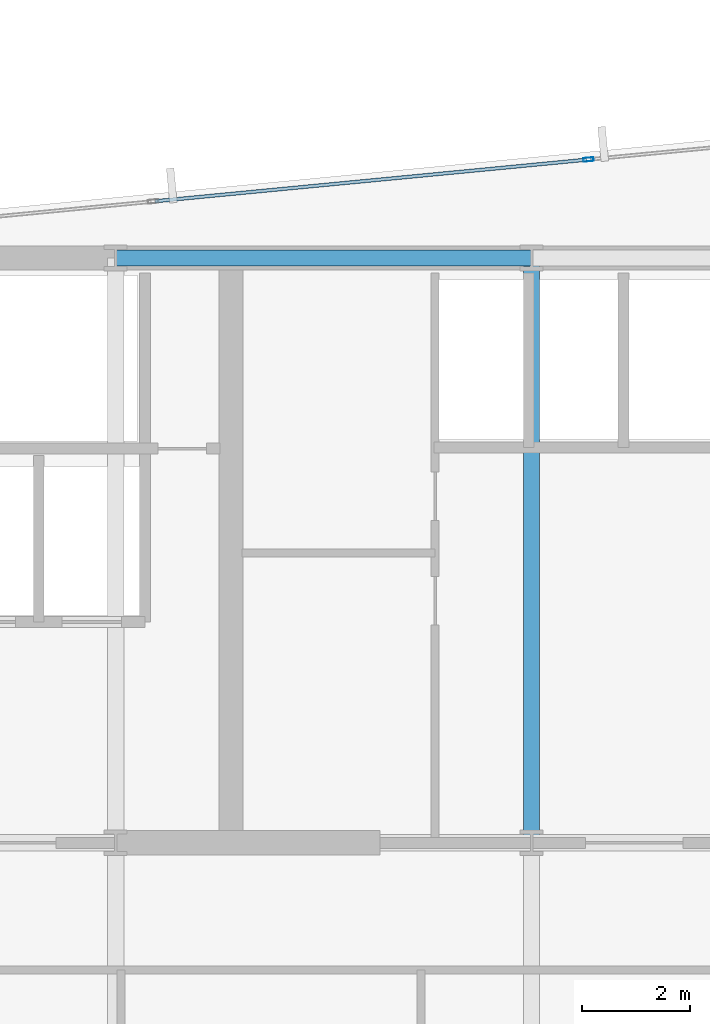
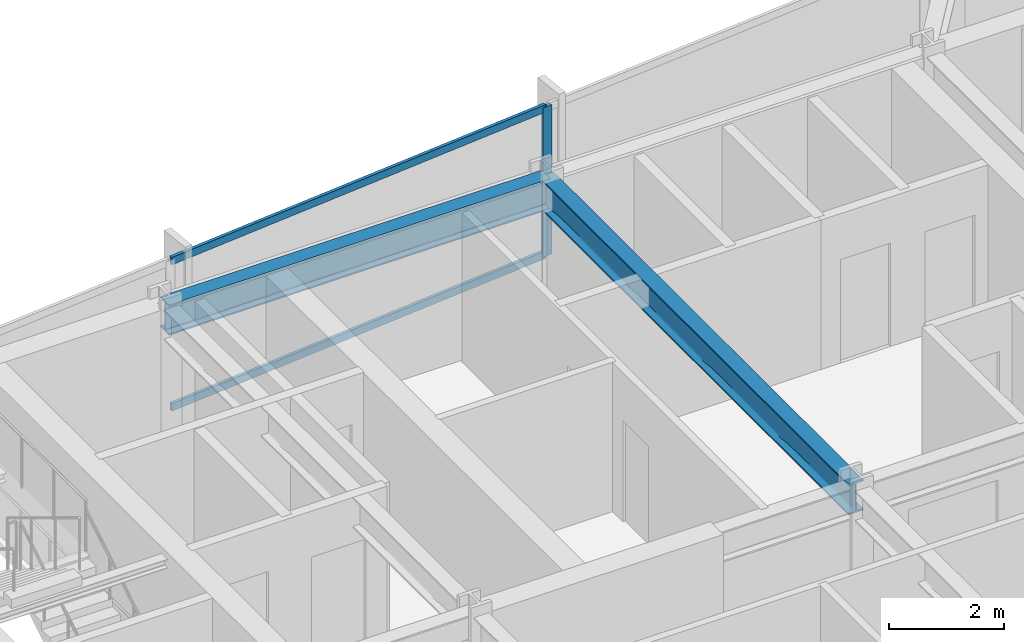
# One storey, part 19 of 33: 3 members, 2 beams, 1 element without a shape of its own.
"""IFC4 building model written with IfcOpenShell, lengths in metres."""

from ifc_helpers import new_model, si_unit, direction, frame, origin, origin_2d, place, context, subcontext, project, spatial, hollow_rectangle, i_section, extrude, material, material_profile, profile_set, type_object, element, aggregate, save


model = new_model("IFC4")

# Units and contexts
model_context = context("Model", 3, precision=1e-05, world=origin(), true_north=direction((0.0, 1.0)))
body_context = subcontext(model_context, "Body", "Model", "MODEL_VIEW")
ifc_project = project(units=[si_unit("LENGTHUNIT", "METRE"), si_unit("AREAUNIT", "SQUARE_METRE"), si_unit("VOLUMEUNIT", "CUBIC_METRE"), si_unit("PLANEANGLEUNIT", "RADIAN"), si_unit("MASSUNIT", "GRAM", prefix="KILO")], contexts=[model_context])

# Site, building, storey
site_placement = place(None, origin())
site = spatial("IfcSite", under=ifc_project, at=site_placement, CompositionType="ELEMENT")
building_placement = place(site_placement, origin())
building = spatial("IfcBuilding", under=site, at=building_placement, Name="Yelkora Congress Tower", CompositionType="ELEMENT")
storey_placement = place(building_placement, frame((0.0, 0.0, 127.10009765625)))
storey = spatial("IfcBuildingStorey", under=building, at=storey_placement, Name="L34", CompositionType="ELEMENT", Elevation=127.10009765625)

# Beams
ifc_material_1 = material(Name="Steel S355J2", Category="steel")
ifc_material_profile_1 = material_profile(ifc_material_1, i_section(OverallWidth=0.300048828125, OverallDepth=0.64990234375, WebThickness=0.01611328125, FlangeThickness=0.031005859375, FilletRadius=0.027099609375, at=origin_2d()), Name="HEB 650")
ifc_profile_set_1 = profile_set([ifc_material_profile_1], Name="Steel S355J2")
beam_type = type_object("IfcBeamType", Name="BM-GIRD-HEB650", PredefinedType="BEAM", material=ifc_profile_set_1)
beam_1_placement = place(storey_placement, frame((30.719970703125, 46.199951171875, 2.85498046875), z_axis=(1.0, 0.0, 0.0), x_axis=(0.0, 1.0, 0.0)))
element("IfcBeam", 1, at=beam_1_placement, inside=storey, type_object=beam_type, Name="L34 Core North Girder 3", PredefinedType="BEAM", context=body_context, shape_type="SweptSolid", body=[
    extrude(i_section(OverallWidth=0.300048828125, OverallDepth=0.64990234375, WebThickness=0.01611328125, FlangeThickness=0.031005859375, FilletRadius=0.027099609375, at=origin_2d()), origin(), (0.0, 0.0, 1.0), 7.679931640625),
])
beam_2_placement = place(storey_placement, frame((38.39990234375, 35.39990234375, 2.85498046875), z_axis=(0.0, 1.0, 0.0), x_axis=(-1.0, 0.0, 0.0)))
element("IfcBeam", 2, at=beam_2_placement, inside=storey, type_object=beam_type, Name="L34 Core Tie Girder MC-S3", PredefinedType="BEAM", context=body_context, shape_type="SweptSolid", body=[
    extrude(i_section(OverallWidth=0.300048828125, OverallDepth=0.64990234375, WebThickness=0.01611328125, FlangeThickness=0.031005859375, FilletRadius=0.027099609375, at=origin_2d()), origin(), (0.0, 0.0, 1.0), 10.800048828125),
])

# Curtain wall, members
ifc_material_2 = material(Name="Anodised aluminium and insulated glass", Category="aluminium")
curtain_wall_type = type_object("IfcCurtainWallType", Name="CW-SYS-B2", PredefinedType="NOTDEFINED", material=ifc_material_2)
curtain_wall_placement = place(storey_placement, origin())
curtain_wall = element("IfcCurtainWall", 3, at=curtain_wall_placement, inside=storey, type_object=curtain_wall_type, Name="L34 Unitised Curtain Wall 10 (3)", PredefinedType="NOTDEFINED")
ifc_material_3 = material(Name="Anodised aluminium 6063-T6", Category="aluminium")
ifc_material_profile_2 = material_profile(ifc_material_3, hollow_rectangle(XDim=0.070068359375, YDim=0.18994140625, WallThickness=0.00390625, at=origin_2d()), Name="ALU 70x190x4")
ifc_profile_set_2 = profile_set([ifc_material_profile_2], Name="Anodised aluminium 6063-T6")
member_type_1 = type_object("IfcMemberType", Name="MEM-ML-B2", PredefinedType="MULLION", material=ifc_profile_set_2)
member_1_placement = place(storey_placement, frame((39.451904296875, 48.018310546875, 0.0), z_axis=(0.0, 0.0, 1.0), x_axis=(-0.095844238468, 0.995396344153, 0.0)))
member_1 = element("IfcMember", 4, at=member_1_placement, type_object=member_type_1, Name="CW-B2 mullion 3", PredefinedType="MULLION", context=body_context, shape_type="SweptSolid", body=[
    extrude(hollow_rectangle(XDim=0.070068359375, YDim=0.18994140625, WallThickness=0.00390625, at=origin_2d()), origin(), (0.0, 0.0, 1.0), 3.179931640625),
])
ifc_material_profile_3 = material_profile(ifc_material_3, hollow_rectangle(XDim=0.06494140625, YDim=0.159912109375, WallThickness=0.00390625, at=origin_2d()), Name="ALU 65x160x4")
ifc_profile_set_3 = profile_set([ifc_material_profile_3], Name="Anodised aluminium 6063-T6")
member_type_2 = type_object("IfcMemberType", Name="MEM-TR-B2", PredefinedType="USERDEFINED", material=ifc_profile_set_3)
member_2_placement = place(storey_placement, frame((31.44677734375, 47.24755859375, 0.032470703125), z_axis=(0.995397793901, 0.09582918082, 0.0), x_axis=(-0.09582918082, 0.995397793901, 0.0)))
member_2 = element("IfcMember", 5, at=member_2_placement, type_object=member_type_2, Name="CW-B2 transom 2.1", ObjectType="TRANSOM", PredefinedType="USERDEFINED", context=body_context, shape_type="SweptSolid", body=[
    extrude(hollow_rectangle(XDim=0.06494140625, YDim=0.159912109375, WallThickness=0.00390625, at=origin_2d()), origin(), (0.0, 0.0, 1.0), 8.00732421875),
])
member_3_placement = place(storey_placement, frame((31.44677734375, 47.24755859375, 3.1474609375), z_axis=(0.995397793901, 0.09582918082, 0.0), x_axis=(-0.09582918082, 0.995397793901, 0.0)))
member_3 = element("IfcMember", 6, at=member_3_placement, type_object=member_type_2, Name="CW-B2 transom 2.2", ObjectType="TRANSOM", PredefinedType="USERDEFINED", context=body_context, shape_type="SweptSolid", body=[
    extrude(hollow_rectangle(XDim=0.06494140625, YDim=0.159912109375, WallThickness=0.00390625, at=origin_2d()), origin(), (0.0, 0.0, 1.0), 8.00732421875),
])
aggregate(curtain_wall, [member_1, member_2, member_3])

save(model, "model.ifc")
